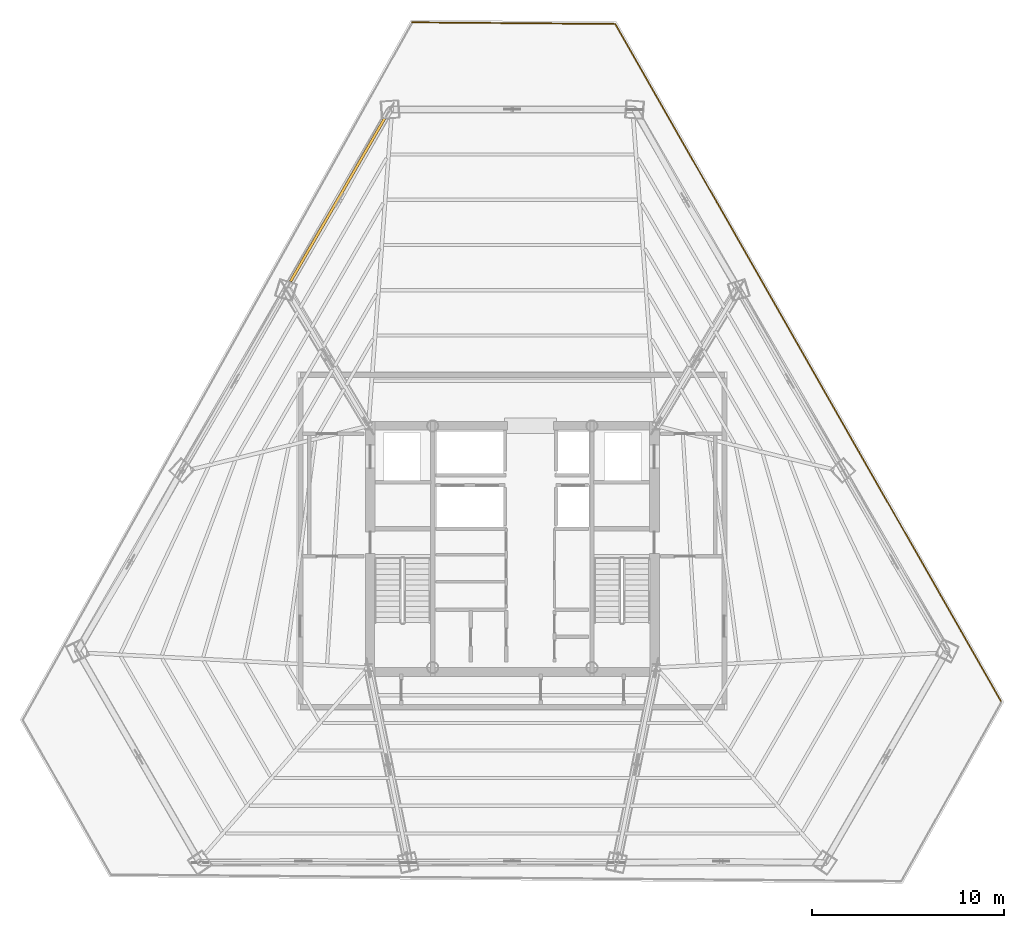
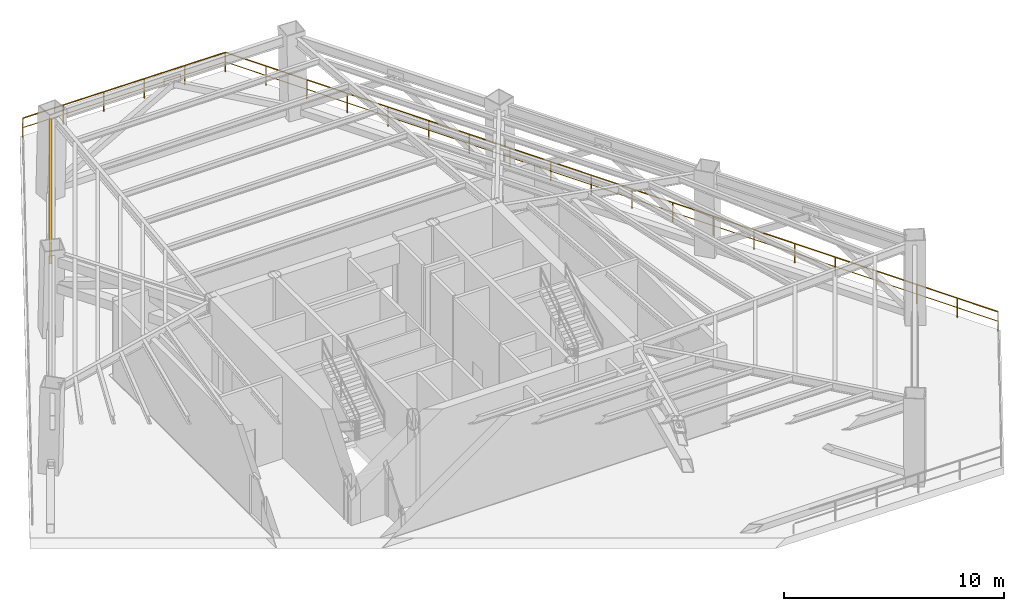
# One storey, part 12 of 12: 2 railings, 1 shading device.
"""IFC4 building model written with IfcOpenShell, lengths in metres."""

from ifc_helpers import new_model, si_unit, direction, frame, origin, origin_2d, place, context, subcontext, project, spatial, rectangle, extrude, source, transform, mapped, material, layer, layer_set, type_object, type_shapes, element, save


model = new_model("IFC4")

# Units and contexts
model_context = context("Model", 3, precision=1e-05, world=origin(), true_north=direction((0.0, 1.0)))
body_context = subcontext(model_context, "Body", "Model", "MODEL_VIEW")
ifc_project = project(units=[si_unit("LENGTHUNIT", "METRE"), si_unit("AREAUNIT", "SQUARE_METRE"), si_unit("VOLUMEUNIT", "CUBIC_METRE"), si_unit("PLANEANGLEUNIT", "RADIAN"), si_unit("MASSUNIT", "GRAM", prefix="KILO")], contexts=[model_context])

# Site, building, storey
site_placement = place(None, origin())
site = spatial("IfcSite", under=ifc_project, at=site_placement, CompositionType="ELEMENT")
building_placement = place(site_placement, origin())
building = spatial("IfcBuilding", under=site, at=building_placement, Name="Caelisora Broadcast Tower", CompositionType="ELEMENT")
storey_placement = place(building_placement, frame((0.0, 0.0, 150.050048828125)))
storey = spatial("IfcBuildingStorey", under=building, at=storey_placement, Name="L39", CompositionType="ELEMENT", Elevation=150.050048828125)

# Railings
ifc_material_1 = material(Name="Laminated Glass and Stainless Steel Terrace Balustrade", Category="steel")
ifc_layer_1 = layer(ifc_material_1, 0.048095703125, Name="Laminated Glass and Stainless Steel Terrace Balustrade")
ifc_layer_set_1 = layer_set([ifc_layer_1], Name="Laminated Glass and Stainless Steel Terrace Balustrade")
railing_type = type_object("IfcRailingType", Name="BL-1", PredefinedType="BALUSTRADE", material=ifc_layer_set_1)
railing_1_placement = place(storey_placement, frame((43.366943359375, 50.949951171875, 0.0)))
element("IfcRailing", 1, at=railing_1_placement, inside=storey, type_object=railing_type, Name="L39 balustrade BL-1 #01", PredefinedType="BALUSTRADE", context=body_context, shape_type="SweptSolid", body=[
    extrude(rectangle(XDim=0.048095703125, YDim=0.048095703125, at=origin_2d()), frame((0.0, 0.0, 1.076171875), z_axis=(0.494842837002, -0.868982489275, 0.0), x_axis=(0.868982489275, 0.494842837002, 0.0)), (0.0, 0.0, 1.0), 40.66943359375),
    extrude(rectangle(XDim=0.03125, YDim=0.03125, at=origin_2d()), frame((0.0, 0.0, 0.550048828125), z_axis=(0.494842837002, -0.868982489275, 0.0), x_axis=(0.868982489275, 0.494842837002, 0.0)), (0.0, 0.0, 1.0), 40.66943359375),
    extrude(rectangle(XDim=0.0419921875, YDim=0.0419921875, at=origin_2d()), origin(), (0.0, 0.0, 1.0), 1.052001953125),
    extrude(rectangle(XDim=0.0419921875, YDim=0.0419921875, at=origin_2d()), frame((1.059326171875, -1.860107421875, 0.0)), (0.0, 0.0, 1.0), 1.052001953125),
    extrude(rectangle(XDim=0.0419921875, YDim=0.0419921875, at=origin_2d()), frame((2.118408203125, -3.72021484375, 0.0)), (0.0, 0.0, 1.0), 1.052001953125),
    extrude(rectangle(XDim=0.0419921875, YDim=0.0419921875, at=origin_2d()), frame((3.177734375, -5.580078125, 0.0)), (0.0, 0.0, 1.0), 1.052001953125),
    extrude(rectangle(XDim=0.0419921875, YDim=0.0419921875, at=origin_2d()), frame((4.23681640625, -7.440185546875, 0.0)), (0.0, 0.0, 1.0), 1.052001953125),
    extrude(rectangle(XDim=0.0419921875, YDim=0.0419921875, at=origin_2d()), frame((5.296142578125, -9.30029296875, 0.0)), (0.0, 0.0, 1.0), 1.052001953125),
    extrude(rectangle(XDim=0.0419921875, YDim=0.0419921875, at=origin_2d()), frame((6.355224609375, -11.160400390625, 0.0)), (0.0, 0.0, 1.0), 1.052001953125),
    extrude(rectangle(XDim=0.0419921875, YDim=0.0419921875, at=origin_2d()), frame((7.41455078125, -13.0205078125, 0.0)), (0.0, 0.0, 1.0), 1.052001953125),
    extrude(rectangle(XDim=0.0419921875, YDim=0.0419921875, at=origin_2d()), frame((8.4736328125, -14.88037109375, 0.0)), (0.0, 0.0, 1.0), 1.052001953125),
    extrude(rectangle(XDim=0.0419921875, YDim=0.0419921875, at=origin_2d()), frame((9.532958984375, -16.740478515625, 0.0)), (0.0, 0.0, 1.0), 1.052001953125),
    extrude(rectangle(XDim=0.0419921875, YDim=0.0419921875, at=origin_2d()), frame((10.592041015625, -18.6005859375, 0.0)), (0.0, 0.0, 1.0), 1.052001953125),
    extrude(rectangle(XDim=0.0419921875, YDim=0.0419921875, at=origin_2d()), frame((11.6513671875, -20.460693359375, 0.0)), (0.0, 0.0, 1.0), 1.052001953125),
    extrude(rectangle(XDim=0.0419921875, YDim=0.0419921875, at=origin_2d()), frame((12.71044921875, -22.320556640625, 0.0)), (0.0, 0.0, 1.0), 1.052001953125),
    extrude(rectangle(XDim=0.0419921875, YDim=0.0419921875, at=origin_2d()), frame((13.769775390625, -24.1806640625, 0.0)), (0.0, 0.0, 1.0), 1.052001953125),
    extrude(rectangle(XDim=0.0419921875, YDim=0.0419921875, at=origin_2d()), frame((14.828857421875, -26.040771484375, 0.0)), (0.0, 0.0, 1.0), 1.052001953125),
    extrude(rectangle(XDim=0.0419921875, YDim=0.0419921875, at=origin_2d()), frame((15.88818359375, -27.90087890625, 0.0)), (0.0, 0.0, 1.0), 1.052001953125),
    extrude(rectangle(XDim=0.0419921875, YDim=0.0419921875, at=origin_2d()), frame((16.947265625, -29.760986328125, 0.0)), (0.0, 0.0, 1.0), 1.052001953125),
    extrude(rectangle(XDim=0.0419921875, YDim=0.0419921875, at=origin_2d()), frame((18.006591796875, -31.620849609375, 0.0)), (0.0, 0.0, 1.0), 1.052001953125),
    extrude(rectangle(XDim=0.0419921875, YDim=0.0419921875, at=origin_2d()), frame((19.065673828125, -33.48095703125, 0.0)), (0.0, 0.0, 1.0), 1.052001953125),
    extrude(rectangle(XDim=0.0419921875, YDim=0.0419921875, at=origin_2d()), frame((20.125, -35.341064453125, 0.0)), (0.0, 0.0, 1.0), 1.052001953125),
])
railing_2_placement = place(storey_placement, frame((32.787109375, 51.035888671875, 0.0)))
element("IfcRailing", 2, at=railing_2_placement, inside=storey, type_object=railing_type, Name="L39 balustrade BL-1 #06", PredefinedType="BALUSTRADE", context=body_context, shape_type="SweptSolid", body=[
    extrude(rectangle(XDim=0.048095703125, YDim=0.048095703125, at=origin_2d()), frame((0.0, 0.0, 1.076171875), z_axis=(0.999967011981, -0.008122496555, 0.0), x_axis=(0.008122496555, 0.999967011981, 0.0)), (0.0, 0.0, 1.0), 10.580078125),
    extrude(rectangle(XDim=0.03125, YDim=0.03125, at=origin_2d()), frame((0.0, 0.0, 0.550048828125), z_axis=(0.999967011981, -0.008122496555, 0.0), x_axis=(0.008122496555, 0.999967011981, 0.0)), (0.0, 0.0, 1.0), 10.580078125),
    extrude(rectangle(XDim=0.0419921875, YDim=0.0419921875, at=origin_2d()), origin(), (0.0, 0.0, 1.0), 1.052001953125),
    extrude(rectangle(XDim=0.0419921875, YDim=0.0419921875, at=origin_2d()), frame((2.115966796875, -0.01708984375, 0.0)), (0.0, 0.0, 1.0), 1.052001953125),
    extrude(rectangle(XDim=0.0419921875, YDim=0.0419921875, at=origin_2d()), frame((4.23193359375, -0.034423828125, 0.0)), (0.0, 0.0, 1.0), 1.052001953125),
    extrude(rectangle(XDim=0.0419921875, YDim=0.0419921875, at=origin_2d()), frame((6.347900390625, -0.051513671875, 0.0)), (0.0, 0.0, 1.0), 1.052001953125),
    extrude(rectangle(XDim=0.0419921875, YDim=0.0419921875, at=origin_2d()), frame((8.4638671875, -0.06884765625, 0.0)), (0.0, 0.0, 1.0), 1.052001953125),
    extrude(rectangle(XDim=0.0419921875, YDim=0.0419921875, at=origin_2d()), frame((10.579833984375, -0.0859375, 0.0)), (0.0, 0.0, 1.0), 1.052001953125),
])

# Shading device
ifc_material_2 = material(Name="Anodised Terracotta Aluminium Acoustic Louvre", Category="aluminium")
ifc_layer_2 = layer(ifc_material_2, 0.139892578125, Name="Anodised Terracotta Aluminium Acoustic Louvre")
ifc_layer_set_2 = layer_set([ifc_layer_2], Name="Anodised Terracotta Aluminium Acoustic Louvre")
shading_device_type = type_object("IfcShadingDeviceType", Name="LV-1", PredefinedType="JALOUSIE", material=ifc_layer_set_2)
shared_shape = source(origin(), body_context, "Body", "SweptSolid", [
    extrude(rectangle(XDim=9.82421875, YDim=0.139892578125, at=origin_2d()), origin(), (0.0, 0.0, 1.0), 1.14990234375),
])
type_shapes(shading_device_type, [shared_shape])
shading_device_placement = place(storey_placement, frame((28.89990234375, 41.787353515625, 3.409912109375), z_axis=(0.0, 0.0, 1.0), x_axis=(-0.5, -0.866025403784, 0.0)))
element("IfcShadingDevice", 3, at=shading_device_placement, inside=storey, type_object=shading_device_type, Name="L39 refuge wind-baffle louvre #1", PredefinedType="JALOUSIE", context=body_context, shape_type="MappedRepresentation", body=[
    mapped(shared_shape, transform((0.0, 0.0, 0.0), scale=1.0)),
])

save(model, "model.ifc")
